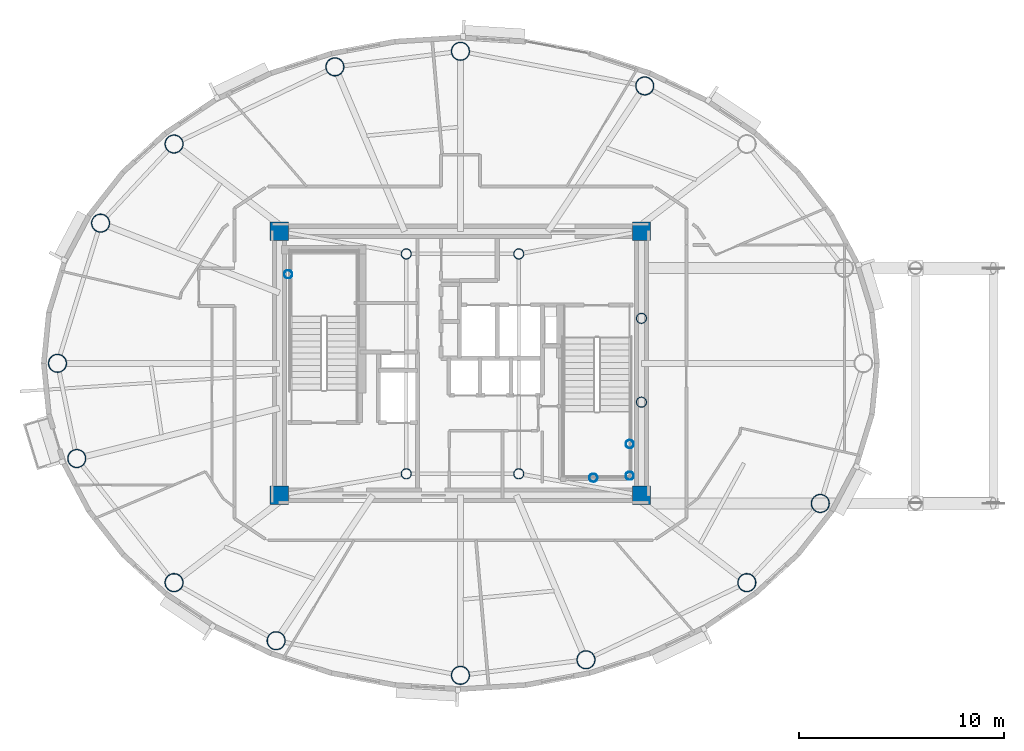
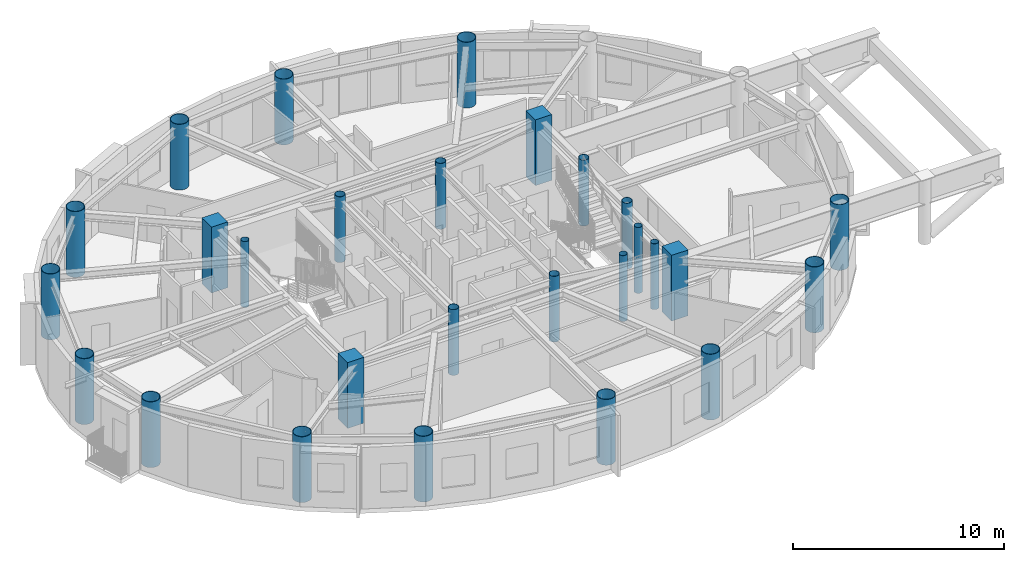
# One storey, part 1 of 19: 27 columns.
"""IFC4 building model written with IfcOpenShell, lengths in metres."""

import ifcopenshell
import ifcopenshell.guid

model = None  # the IFC model being written
_history = None  # IfcOwnerHistory: only IFC2X3 demands one
_inside = {}  # id of a spatial element -> (the spatial element, [elements in it])
_under = {}  # id of a project, library or spatial element -> (it, [spatial elements below it])
_declared = {}  # id of a project -> (the project, [libraries it declares])
_typed = {}  # id of a type object -> (the type object, [elements of that type])
_made_of = {}  # id of a material, layer set ... -> (it, [elements and type objects made of it])


def new_model(schema):
    """Start an empty IFC model of exactly this schema.

    Asked for "IFC4X3", IfcOpenShell would pick the latest addendum, in which some entities
    have other attributes; the version numbers below select the first issue.
    IFC2X3 requires an IfcOwnerHistory on every rooted entity: one is made here for all.
    """
    global model, _history
    if schema == "IFC4X3":
        model = ifcopenshell.file(schema_version=(4, 3, 0, 0))
    else:
        model = ifcopenshell.file(schema=schema)
    _inside.clear()
    _under.clear()
    _declared.clear()
    _typed.clear()
    _made_of.clear()
    _history = None
    if model.schema == "IFC2X3":
        org = make("IfcOrganization", Name="unknown")
        user = make(
            "IfcPersonAndOrganization",
            ThePerson=make("IfcPerson", FamilyName="unknown"),
            TheOrganization=org,
        )
        app = make(
            "IfcApplication",
            ApplicationDeveloper=org,
            Version="unknown",
            ApplicationFullName="unknown",
            ApplicationIdentifier="unknown",
        )
        _history = make(
            "IfcOwnerHistory",
            OwningUser=user,
            OwningApplication=app,
            ChangeAction="ADDED",
            CreationDate=0,
        )
    return model


def make(cls, **values):
    """One entity of the class cls with the attributes given. An attribute that is None is left unset."""
    return model.create_entity(
        cls, **{name: value for name, value in values.items() if value is not None}
    )


def rooted(cls, **values):
    """An entity with a GlobalId (a new one), such as an element, a storey or a relation."""
    return make(cls, GlobalId=ifcopenshell.guid.new(), OwnerHistory=_history, **values)


def si_unit(unit_type, name, prefix=None):
    """IfcSIUnit, for example si_unit("LENGTHUNIT", "METRE", prefix="MILLI")."""
    return make("IfcSIUnit", UnitType=unit_type, Prefix=prefix, Name=name)


def assignment(units):
    """IfcUnitAssignment: the units of a project."""
    return None if units is None else make("IfcUnitAssignment", Units=units)


def point(xyz):
    """IfcCartesianPoint."""
    return None if xyz is None else make("IfcCartesianPoint", Coordinates=xyz)


def direction(xyz):
    """IfcDirection."""
    return None if xyz is None else make("IfcDirection", DirectionRatios=xyz)


def frame(location, z_axis=None, x_axis=None):
    """IfcAxis2Placement3D, a coordinate frame: its origin and axes. An axis left out is left unset."""
    return make(
        "IfcAxis2Placement3D",
        Location=point(location),
        Axis=direction(z_axis),
        RefDirection=direction(x_axis),
    )


def frame_2d(location, x_axis=None):
    """IfcAxis2Placement2D, a coordinate frame in the plane: its origin and x axis."""
    return make(
        "IfcAxis2Placement2D", Location=point(location), RefDirection=direction(x_axis)
    )


def origin():
    """The frame at (0, 0, 0) with its axes left unset."""
    return frame((0.0, 0.0, 0.0))


def origin_2d():
    """The frame at (0, 0) in the plane with its x axis left unset."""
    return frame_2d((0.0, 0.0))


def place(relative_to, where):
    """IfcLocalPlacement: puts the frame where relative to a parent placement (None: the world)."""
    return make(
        "IfcLocalPlacement", PlacementRelTo=relative_to, RelativePlacement=where
    )


def context(
    kind, dimensions, precision=None, world=None, true_north=None, identifier=None
):
    """IfcGeometricRepresentationContext, for example the 3D "Model" context."""
    return make(
        "IfcGeometricRepresentationContext",
        ContextIdentifier=identifier,
        ContextType=kind,
        CoordinateSpaceDimension=dimensions,
        Precision=precision,
        WorldCoordinateSystem=world,
        TrueNorth=true_north,
    )


def subcontext(parent, identifier, kind, view, scale=None):
    """IfcGeometricRepresentationSubContext, for example "Body" below "Model"."""
    return make(
        "IfcGeometricRepresentationSubContext",
        ContextIdentifier=identifier,
        ContextType=kind,
        ParentContext=parent,
        TargetScale=scale,
        TargetView=view,
    )


def project(units=None, contexts=None):
    """IfcProject with its units and contexts."""
    return rooted(
        "IfcProject",
        Name="project",
        RepresentationContexts=contexts,
        UnitsInContext=assignment(units),
    )


def spatial(cls, under=None, at=None, **own):
    """A site, building, storey or space (cls), placed at a placement, below another one or the project."""
    s = rooted(cls, ObjectPlacement=at, **own)
    if under is not None:
        _under.setdefault(under.id(), (under, []))[1].append(s)
    return s


def profile(cls, at=None, kind="AREA", **sizes):
    """A parametric profile (cls). Its sizes go by their IFC names, for example OverallWidth=200.0."""
    return make(cls, ProfileType=kind, Position=at, **sizes)


def rectangle(**sizes):
    """IfcRectangleProfileDef."""
    return profile("IfcRectangleProfileDef", **sizes)


def hollow_circle(**sizes):
    """IfcCircleHollowProfileDef."""
    return profile("IfcCircleHollowProfileDef", **sizes)


def extrude(swept, where, along, depth):
    """IfcExtrudedAreaSolid: the profile swept, set in the frame where, extruded along a direction by depth."""
    return make(
        "IfcExtrudedAreaSolid",
        SweptArea=swept,
        Position=where,
        ExtrudedDirection=direction(along),
        Depth=depth,
    )


def shape(context_of_items, identifier, shape_type, items):
    """IfcShapeRepresentation: the items that make up one representation, for example the "Body"."""
    return make(
        "IfcShapeRepresentation",
        ContextOfItems=context_of_items,
        RepresentationIdentifier=identifier,
        RepresentationType=shape_type,
        Items=items,
    )


def material(Name=None, Category=None):
    """IfcMaterial."""
    return make("IfcMaterial", Name=Name, Category=Category)


def material_profile(
    of_material, cross_section, Name=None, Category=None, Priority=None
):
    """IfcMaterialProfile: a cross section and its material."""
    return make(
        "IfcMaterialProfile",
        Name=Name,
        Material=of_material,
        Profile=cross_section,
        Priority=Priority,
        Category=Category,
    )


def profile_set(profiles, Name=None, composite=None):
    """IfcMaterialProfileSet."""
    return make(
        "IfcMaterialProfileSet",
        Name=Name,
        MaterialProfiles=profiles,
        CompositeProfile=composite,
    )


def made_of(thing, what):
    """Note that an element or type object is made of a material, layer set ...; save() writes the relation."""
    if what is not None:
        _made_of.setdefault(what.id(), (what, []))[1].append(thing)
    return thing


def type_object(cls, material=None, **own):
    """A type object (cls), such as IfcWallType, which elements share."""
    return made_of(rooted(cls, **own), material)


def element(
    cls,
    number,
    at=None,
    inside=None,
    cuts=None,
    type_object=None,
    material=None,
    context=None,
    identifier="Body",
    shape_type=None,
    held_by="IfcProductDefinitionShape",
    body=None,
    shapes=None,
    **own,
):
    """One element of the class cls, such as IfcWall. Its Tag is "e" and its number.

    at: its placement. inside: the storey or other place that contains it. cuts: it is an
    opening in that element (IfcRelVoidsElement). A single representation is given by context,
    identifier, shape_type and body (its items); several are given by shapes. held_by: the class
    of the entity that holds the representations. save() writes the other relations.
    """
    e = rooted(cls, Tag="e%d" % number, ObjectPlacement=at, **own)
    if body is not None:
        shapes = [shape(context, identifier, shape_type, body)]
    if shapes is not None:
        e.Representation = make(held_by, Representations=shapes)
    if inside is not None:
        _inside.setdefault(inside.id(), (inside, []))[1].append(e)
    if cuts is not None:
        rooted(
            "IfcRelVoidsElement", RelatingBuildingElement=cuts, RelatedOpeningElement=e
        )
    if type_object is not None:
        _typed.setdefault(type_object.id(), (type_object, []))[1].append(e)
    return made_of(e, material)


def aggregate(whole, parts):
    """IfcRelAggregates: a whole, such as a stair, and the parts it consists of."""
    return rooted("IfcRelAggregates", RelatingObject=whole, RelatedObjects=parts)


def save(model, path):
    """Write the relations noted so far, then the file.

    IfcRelAggregates (storeys below a building ...), IfcRelContainedInSpatialStructure (elements
    in a storey), IfcRelDefinesByType, IfcRelAssociatesMaterial and IfcRelDeclares: one each for
    every whole, place, type object, material and project.
    """
    for whole, parts in _under.values():
        aggregate(whole, parts)
    for where, things in _inside.values():
        rooted(
            "IfcRelContainedInSpatialStructure",
            RelatedElements=things,
            RelatingStructure=where,
        )
    for kind, things in _typed.values():
        rooted("IfcRelDefinesByType", RelatedObjects=things, RelatingType=kind)
    for what, things in _made_of.values():
        rooted("IfcRelAssociatesMaterial", RelatedObjects=things, RelatingMaterial=what)
    for by, libraries in _declared.values():
        rooted("IfcRelDeclares", RelatingContext=by, RelatedDefinitions=libraries)
    model.write(path)


model = new_model("IFC4")

# Units and contexts
model_context = context("Model", 3, precision=1e-05, world=origin(), true_north=direction((0.0, 1.0)))
body_context = subcontext(model_context, "Body", "Model", "MODEL_VIEW")
ifc_project = project(units=[si_unit("LENGTHUNIT", "METRE"), si_unit("AREAUNIT", "SQUARE_METRE"), si_unit("VOLUMEUNIT", "CUBIC_METRE"), si_unit("PLANEANGLEUNIT", "RADIAN"), si_unit("MASSUNIT", "GRAM", prefix="KILO")], contexts=[model_context])

# Site, building, storey
site_placement = place(None, origin())
site = spatial("IfcSite", under=ifc_project, at=site_placement, CompositionType="ELEMENT")
building_placement = place(site_placement, origin())
building = spatial("IfcBuilding", under=site, at=building_placement, Name="Linh Dai School and Residence Tower", CompositionType="ELEMENT")
storey_placement = place(building_placement, frame((0.0, 0.0, 339.199951171875)))
storey = spatial("IfcBuildingStorey", under=building, at=storey_placement, Name="L84", CompositionType="ELEMENT", Elevation=339.199951171875)

# Columns
ifc_material_1 = material(Name="Concrete B45 (C35/45)", Category="concrete")
ifc_material_profile_1 = material_profile(ifc_material_1, rectangle(XDim=0.89990234375, YDim=0.89990234375, at=origin_2d()), Name="RC 900x900")
ifc_profile_set_1 = profile_set([ifc_material_profile_1], Name="Concrete B45 (C35/45)")
column_type_1 = type_object("IfcColumnType", Name="COL-CC4", PredefinedType="COLUMN", material=ifc_profile_set_1)
for number, where, z_axis, x_axis, name in (
    (1, (27.14990234375, 20.550048828125, 0.0), (0.0, 0.0, 1.0), (1.0, 0.0, 0.0), "L84 Core Corner Pier CC1"),
    (2, (44.85009765625, 20.550048828125, 0.0), (0.0, 0.0, 1.0), (1.0, 0.0, 0.0), "L84 Core Corner Pier CC2"),
    (3, (44.85009765625, 33.449951171875, 0.0), (0.0, 0.0, 1.0), (1.0, 0.0, 0.0), "L84 Core Corner Pier CC3"),
    (4, (27.14990234375, 33.449951171875, 0.0), (0.0, 0.0, 1.0), (1.0, 0.0, 0.0), "L84 Core Corner Pier CC4"),
):
    element("IfcColumn", number, at=place(storey_placement, frame(where, z_axis=z_axis, x_axis=x_axis)), inside=storey, type_object=column_type_1, Name=name, PredefinedType="COLUMN", context=body_context, shape_type="SweptSolid", body=[
        extrude(rectangle(XDim=0.89990234375, YDim=0.89990234375, at=origin_2d()), origin(), (0.0, 0.0, 1.0), 3.800048828125),
    ])
ifc_material_2 = material(Name="Structural Steel S355JR", Category="steel")
ifc_material_profile_2 = material_profile(ifc_material_2, hollow_circle(Radius=0.203125, WallThickness=0.01611328125, at=origin_2d()), Name="CHS 406.4x16")
ifc_profile_set_2 = profile_set([ifc_material_profile_2], Name="Structural Steel S355JR")
column_type_2 = type_object("IfcColumnType", Name="COL-EC", PredefinedType="COLUMN", material=ifc_profile_set_2)
for number, where, z_axis, x_axis, name in (
    (5, (27.580078125, 31.35009765625, 0.0), (0.0, 0.0, 1.0), (1.0, 0.0, 0.0), "L84 Stair Shaft Landing Support Pier ST1NW"),
    (6, (44.280029296875, 21.5, 0.0), (0.0, 0.0, 1.0), (1.0, 0.0, 0.0), "L84 Stair Shaft Landing Support Pier ST2SE"),
    (7, (44.280029296875, 23.050048828125, 0.0), (0.0, 0.0, 1.0), (1.0, 0.0, 0.0), "L84 Stair Shaft Landing Support Pier ST2NE"),
    (8, (42.5, 21.39990234375, 0.0), (0.0, 0.0, 1.0), (1.0, 0.0, 0.0), "L84 Stair Shaft Landing Support Pier ST2MS"),
):
    element("IfcColumn", number, at=place(storey_placement, frame(where, z_axis=z_axis, x_axis=x_axis)), inside=storey, type_object=column_type_2, Name=name, PredefinedType="COLUMN", context=body_context, shape_type="SweptSolid", body=[
        extrude(hollow_circle(Radius=0.203125, WallThickness=0.01611328125, at=origin_2d()), origin(), (0.0, 0.0, 1.0), 3.800048828125),
    ])
ifc_material_profile_3 = material_profile(ifc_material_2, hollow_circle(Radius=0.449951171875, WallThickness=0.028076171875, at=origin_2d()), Name="CHS 900x28")
ifc_profile_set_3 = profile_set([ifc_material_profile_3], Name="Structural Steel S355JR")
column_type_3 = type_object("IfcColumnType", Name="COL-MC7", PredefinedType="COLUMN", material=ifc_profile_set_3)
for number, where, z_axis, x_axis, name in (
    (9, (45.01025390625, 40.56201171875, 0.0), (0.0, 0.0, 1.0), (1.0, 0.0, 0.0), "L84 Perimeter CFT Mega-Column MC04"),
    (10, (36.0, 42.2548828125, 0.0), (0.0, 0.0, 1.0), (1.0, 0.0, 0.0), "L84 Perimeter CFT Mega-Column MC05"),
    (11, (29.862548828125, 41.493896484375, 0.0), (0.0, 0.0, 1.0), (1.0, 0.0, 0.0), "L84 Perimeter CFT Mega-Column MC06"),
    (12, (21.99755859375, 37.72265625, 0.0), (0.0, 0.0, 1.0), (1.0, 0.0, 0.0), "L84 Perimeter CFT Mega-Column MC07"),
    (13, (18.405029296875, 33.8525390625, 0.0), (0.0, 0.0, 1.0), (1.0, 0.0, 0.0), "L84 Perimeter CFT Mega-Column MC08"),
    (14, (16.300048828125, 27.0, 0.0), (0.0, 0.0, 1.0), (1.0, 0.0, 0.0), "L84 Perimeter CFT Mega-Column MC09"),
    (15, (17.2421875, 22.34521484375, 0.0), (0.0, 0.0, 1.0), (1.0, 0.0, 0.0), "L84 Perimeter CFT Mega-Column MC10"),
    (16, (21.99755859375, 16.27734375, 0.0), (0.0, 0.0, 1.0), (1.0, 0.0, 0.0), "L84 Perimeter CFT Mega-Column MC11"),
    (17, (26.98974609375, 13.43798828125, 0.0), (0.0, 0.0, 1.0), (1.0, 0.0, 0.0), "L84 Perimeter CFT Mega-Column MC12"),
    (18, (36.0, 11.7451171875, 0.0), (0.0, 0.0, 1.0), (1.0, 0.0, 0.0), "L84 Perimeter CFT Mega-Column MC13"),
    (19, (42.137451171875, 12.506103515625, 0.0), (0.0, 0.0, 1.0), (1.0, 0.0, 0.0), "L84 Perimeter CFT Mega-Column MC14"),
    (20, (50.00244140625, 16.27734375, 0.0), (0.0, 0.0, 1.0), (1.0, 0.0, 0.0), "L84 Perimeter CFT Mega-Column MC15"),
    (21, (53.594970703125, 20.1474609375, 0.0), (0.0, 0.0, 1.0), (1.0, 0.0, 0.0), "L84 Perimeter CFT Mega-Column MC16"),
):
    element("IfcColumn", number, at=place(storey_placement, frame(where, z_axis=z_axis, x_axis=x_axis)), inside=storey, type_object=column_type_3, Name=name, PredefinedType="COLUMN", context=body_context, shape_type="SweptSolid", body=[
        extrude(hollow_circle(Radius=0.449951171875, WallThickness=0.028076171875, at=origin_2d()), origin(), (0.0, 0.0, 1.0), 3.800048828125),
    ])
ifc_material_profile_4 = material_profile(ifc_material_2, hollow_circle(Radius=0.25390625, WallThickness=0.02001953125, at=origin_2d()), Name="CHS 508x20")
ifc_profile_set_4 = profile_set([ifc_material_profile_4], Name="Structural Steel S355JR")
column_type_4 = type_object("IfcColumnType", Name="COL-MCP", PredefinedType="COLUMN", material=ifc_profile_set_4)
for number, where, z_axis, x_axis, name in (
    (22, (33.35009765625, 21.60009765625, 0.0), (0.0, 0.0, 1.0), (1.0, 0.0, 0.0), "L84 Core Mast Support Pier MCP1"),
    (23, (38.85009765625, 21.60009765625, 0.0), (0.0, 0.0, 1.0), (1.0, 0.0, 0.0), "L84 Core Mast Support Pier MCP2"),
    (24, (38.85009765625, 32.35009765625, 0.0), (0.0, 0.0, 1.0), (1.0, 0.0, 0.0), "L84 Core Mast Support Pier MCP3"),
    (25, (33.35009765625, 32.35009765625, 0.0), (0.0, 0.0, 1.0), (1.0, 0.0, 0.0), "L84 Core Mast Support Pier MCP4"),
    (26, (44.85009765625, 25.10009765625, 0.0), (0.0, 0.0, 1.0), (1.0, 0.0, 0.0), "L84 Sky-Lounge Core Anchor Pier S"),
    (27, (44.85009765625, 29.199951171875, 0.0), (0.0, 0.0, 1.0), (1.0, 0.0, 0.0), "L84 Sky-Lounge Core Anchor Pier N"),
):
    element("IfcColumn", number, at=place(storey_placement, frame(where, z_axis=z_axis, x_axis=x_axis)), inside=storey, type_object=column_type_4, Name=name, PredefinedType="COLUMN", context=body_context, shape_type="SweptSolid", body=[
        extrude(hollow_circle(Radius=0.25390625, WallThickness=0.02001953125, at=origin_2d()), origin(), (0.0, 0.0, 1.0), 3.800048828125),
    ])

save(model, "model.ifc")
